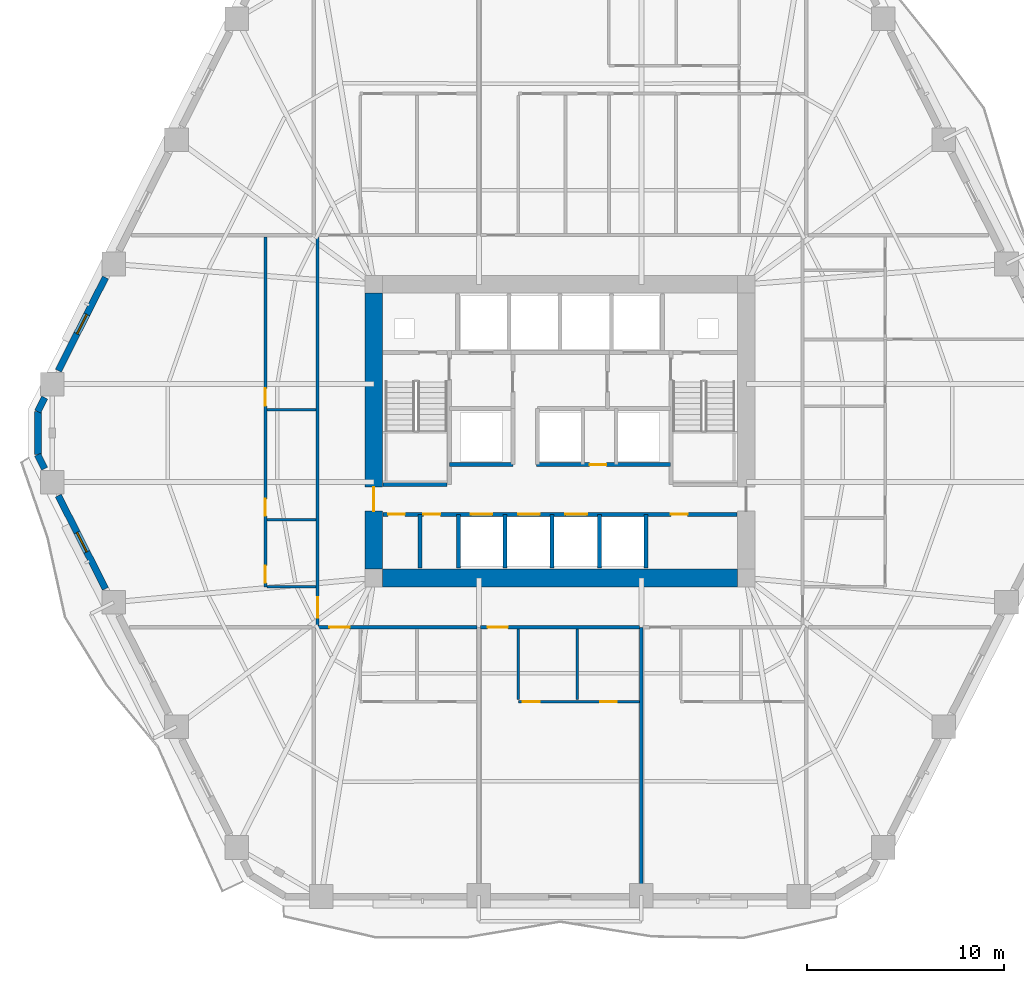
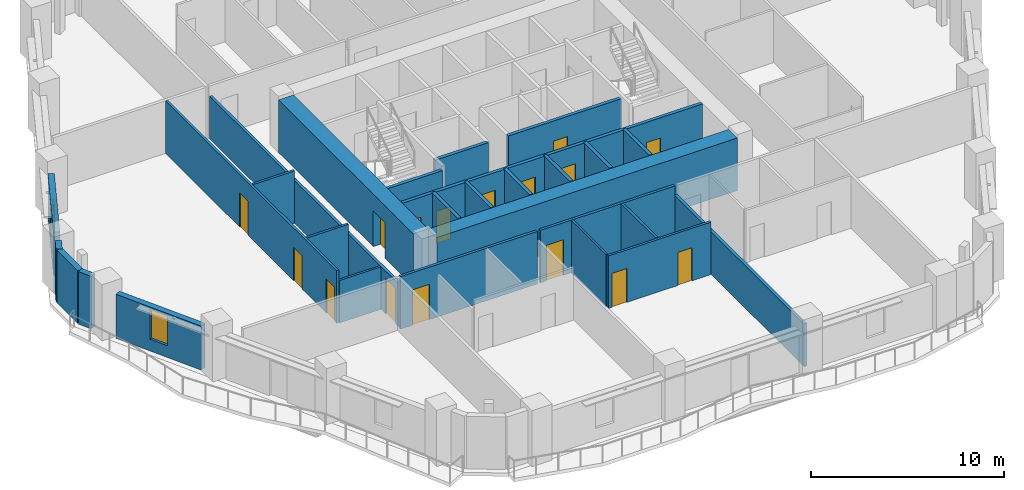
# One storey, part 4 of 13: 28 walls, 16 doors, 2 windows, 18 openings.
"""IFC4 building model written with IfcOpenShell, lengths in metres."""

from ifc_helpers import new_model, si_unit, direction, frame, frame_2d, origin, place, context, subcontext, project, spatial, rectangle, extrude, material, layer, layer_set, type_object, element, fill, save


model = new_model("IFC4")

# Units and contexts
model_context = context("Model", 3, precision=1e-05, world=origin(), true_north=direction((0.0, 1.0)))
body_context = subcontext(model_context, "Body", "Model", "MODEL_VIEW")
ifc_project = project(units=[si_unit("LENGTHUNIT", "METRE"), si_unit("AREAUNIT", "SQUARE_METRE"), si_unit("VOLUMEUNIT", "CUBIC_METRE"), si_unit("PLANEANGLEUNIT", "RADIAN"), si_unit("MASSUNIT", "GRAM", prefix="KILO")], contexts=[model_context])

# Site, building, storey
site_placement = place(None, origin())
site = spatial("IfcSite", under=ifc_project, at=site_placement, CompositionType="ELEMENT")
building_placement = place(site_placement, origin())
building = spatial("IfcBuilding", under=site, at=building_placement, Name="Cinnabar Lancet Tower", CompositionType="ELEMENT")
storey_placement = place(building_placement, frame((0.0, 0.0, 63.949951171875)))
storey = spatial("IfcBuildingStorey", under=building, at=storey_placement, Name="L16", CompositionType="ELEMENT", Elevation=63.949951171875)

# Wall, opening, door
ifc_material_1 = material(Name="Acoustic twin-stud gypsum partition", Category="gypsum")
ifc_layer_1 = layer(ifc_material_1, 0.159912109375)
ifc_layer_set_1 = layer_set([ifc_layer_1], Name="Acoustic twin-stud gypsum partition")
wall_type_1 = type_object("IfcWallType", Name="ARC-WL-CORR-160", PredefinedType="PARTITIONING", material=ifc_layer_set_1)
wall_1_placement = place(storey_placement, frame((19.9951171875, 15.949951171875, 0.0), z_axis=(0.0, 0.0, 1.0), x_axis=(1.0, 0.0, 0.0)))
wall_1 = element("IfcWall", 1, at=wall_1_placement, inside=storey, type_object=wall_type_1, Name="L16 Unit S01 Corridor Wall", PredefinedType="PARTITIONING", context=body_context, shape_type="SweptSolid", body=[
    extrude(rectangle(XDim=8.18798828125, YDim=0.159912109375, at=frame_2d((4.093994140625, 0.0))), origin(), (0.0, 0.0, 1.0), 3.330078125),
])
opening_1_placement = place(wall_1_placement, frame((0.705078125, 0.0, 0.0)))
opening_1 = element("IfcOpeningElement", 2, at=opening_1_placement, cuts=wall_1, Name="Opening UD-01", PredefinedType="OPENING", context=body_context, shape_type="SweptSolid", body=[
    extrude(rectangle(XDim=1.02001953125, YDim=2.25, at=frame_2d((0.510009765625, 1.125))), frame((0.0, 0.08984375, 0.0), z_axis=(0.0, -1.0, 0.0), x_axis=(1.0, 0.0, 0.0)), (0.0, 0.0, 1.0), 0.179931640625),
])
ifc_material_2 = material(Name="Solid timber fire-rated apartment entrance door", Category="wood")
door_type_1 = type_object("IfcDoorType", Name="ARC-DR-UNIT", OperationType="NOTDEFINED", PredefinedType="DOOR", material=ifc_material_2)
door_1_placement = place(opening_1_placement, origin())
door_1 = element("IfcDoor", 3, at=door_1_placement, inside=storey, type_object=door_type_1, Name="DR-L16-S01-ENT", OperationType="SINGLE_SWING_RIGHT", OverallHeight=2.25, OverallWidth=1.02001953125, PredefinedType="DOOR", context=body_context, shape_type="SweptSolid", body=[
    extrude(rectangle(XDim=1.02001953125, YDim=2.25, at=frame_2d((0.510009765625, 1.125))), frame((0.0, 0.02490234375, 0.0), z_axis=(0.0, -1.0, 0.0), x_axis=(1.0, 0.0, 0.0)), (0.0, 0.0, 1.0), 0.050048828125),
])
fill(opening_1, door_1)

wall_2_placement = place(storey_placement, frame((28.373046875, 15.949951171875, 0.0), z_axis=(0.0, 0.0, 1.0), x_axis=(1.0, 0.0, 0.0)))
wall_2 = element("IfcWall", 4, at=wall_2_placement, inside=storey, type_object=wall_type_1, Name="L16 Unit S02 Corridor Wall", PredefinedType="PARTITIONING", context=body_context, shape_type="SweptSolid", body=[
    extrude(rectangle(XDim=8.053955078125, YDim=0.159912109375, at=frame_2d((4.02685546875, 0.0))), origin(), (0.0, 0.0, 1.0), 3.330078125),
])
opening_2_placement = place(wall_2_placement, frame((0.35498046875, 0.0, 0.0)))
opening_2 = element("IfcOpeningElement", 5, at=opening_2_placement, cuts=wall_2, Name="Opening UD-01", PredefinedType="OPENING", context=body_context, shape_type="SweptSolid", body=[
    extrude(rectangle(XDim=1.02001953125, YDim=2.25, at=frame_2d((0.510009765625, 1.125))), frame((0.0, 0.08984375, 0.0), z_axis=(0.0, -1.0, 0.0), x_axis=(1.0, 0.0, 0.0)), (0.0, 0.0, 1.0), 0.179931640625),
])
door_2_placement = place(opening_2_placement, origin())
door_2 = element("IfcDoor", 6, at=door_2_placement, inside=storey, type_object=door_type_1, Name="DR-L16-S02-ENT", OperationType="SINGLE_SWING_LEFT", OverallHeight=2.25, OverallWidth=1.02001953125, PredefinedType="DOOR", context=body_context, shape_type="SweptSolid", body=[
    extrude(rectangle(XDim=1.02001953125, YDim=2.25, at=frame_2d((0.510009765625, 1.125))), frame((0.0, 0.02490234375, 0.0), z_axis=(0.0, -1.0, 0.0), x_axis=(1.0, 0.0, 0.0)), (0.0, 0.0, 1.0), 0.050048828125),
])
fill(opening_2, door_2)

wall_3_placement = place(storey_placement, frame((20.10009765625, 16.044921875, 0.0), z_axis=(0.0, 0.0, 1.0), x_axis=(0.0, 1.0, 0.0)))
wall_3 = element("IfcWall", 7, at=wall_3_placement, inside=storey, type_object=wall_type_1, Name="UW-L16-W01-COR", PredefinedType="PARTITIONING", context=body_context, shape_type="SweptSolid", body=[
    extrude(rectangle(XDim=19.7099609375, YDim=0.159912109375, at=frame_2d((9.85498046875, 0.0))), origin(), (0.0, 0.0, 1.0), 2.699951171875),
])
opening_3_placement = place(wall_3_placement, frame((0.39990234375, 0.0, 0.0)))
opening_3 = element("IfcOpeningElement", 8, at=opening_3_placement, cuts=wall_3, Name="Opening UD-01", PredefinedType="OPENING", context=body_context, shape_type="SweptSolid", body=[
    extrude(rectangle(XDim=1.02001953125, YDim=2.25, at=frame_2d((0.510009765625, 1.125))), frame((0.0, 0.08984375, 0.0), z_axis=(0.0, -1.0, 0.0), x_axis=(1.0, 0.0, 0.0)), (0.0, 0.0, 1.0), 0.179931640625),
])
door_3_placement = place(opening_3_placement, origin())
door_3 = element("IfcDoor", 9, at=door_3_placement, inside=storey, type_object=door_type_1, Name="DR-L16-W01-ENT", OperationType="SINGLE_SWING_RIGHT", OverallHeight=2.25, OverallWidth=1.02001953125, PredefinedType="DOOR", context=body_context, shape_type="SweptSolid", body=[
    extrude(rectangle(XDim=1.02001953125, YDim=2.25, at=frame_2d((0.510009765625, 1.125))), frame((0.0, 0.02490234375, 0.0), z_axis=(0.0, -1.0, 0.0), x_axis=(1.0, 0.0, 0.0)), (0.0, 0.0, 1.0), 0.050048828125),
])
fill(opening_3, door_3)

# Walls
ifc_material_3 = material(Name="Fire-rated twin-frame acoustic drywall", Category="gypsum")
ifc_layer_2 = layer(ifc_material_3, 0.179931640625)
ifc_layer_set_2 = layer_set([ifc_layer_2], Name="Fire-rated twin-frame acoustic drywall")
wall_type_2 = type_object("IfcWallType", Name="ARC-WL-PARTY-180", PredefinedType="PARTITIONING", material=ifc_layer_set_2)
wall_4_placement = place(storey_placement, frame((36.52197265625, 2.455078125, 0.0), z_axis=(0.0, 0.0, 1.0), x_axis=(0.0, 1.0, 0.0)))
element("IfcWall", 10, at=wall_4_placement, inside=storey, type_object=wall_type_2, Name="PW-L16-SPTY-365", PredefinedType="PARTITIONING", context=body_context, shape_type="SweptSolid", body=[
    extrude(rectangle(XDim=13.494873046875, YDim=0.179931640625, at=frame_2d((6.74755859375, 0.0))), origin(), (0.0, 0.0, 1.0), 2.699951171875),
])
ifc_material_4 = material(Name="Autoclaved aerated concrete blockwork", Category="masonry")
ifc_layer_3 = layer(ifc_material_4, 0.199951171875)
ifc_layer_set_3 = layer_set([ifc_layer_3], Name="Autoclaved aerated concrete blockwork")
wall_type_3 = type_object("IfcWallType", Name="ARC-WL-SHAFT-200", PredefinedType="PLUMBINGWALL", material=ifc_layer_set_3)
wall_5_placement = place(storey_placement, frame((23.405029296875, 23.199951171875, 0.0), z_axis=(0.0, 0.0, 1.0), x_axis=(1.0, 0.0, 0.0)))
element("IfcWall", 11, at=wall_5_placement, inside=storey, type_object=wall_type_3, Name="CW-ST1S-L16", PredefinedType="PLUMBINGWALL", context=body_context, shape_type="SweptSolid", body=[
    extrude(rectangle(XDim=3.27001953125, YDim=0.199951171875, at=frame_2d((1.635009765625, 0.0))), origin(), (0.0, 0.0, 1.0), 3.330078125),
])
wall_6_placement = place(storey_placement, frame((26.800048828125, 24.199951171875, 0.0), z_axis=(0.0, 0.0, 1.0), x_axis=(1.0, 0.0, 0.0)))
element("IfcWall", 12, at=wall_6_placement, inside=storey, type_object=wall_type_3, Name="CW-PL5S-L16", PredefinedType="PLUMBINGWALL", context=body_context, shape_type="SweptSolid", body=[
    extrude(rectangle(XDim=3.199951171875, YDim=0.199951171875, at=frame_2d((1.60009765625, 0.0))), origin(), (0.0, 0.0, 1.0), 3.330078125),
])

# Wall, opening, door
wall_7_placement = place(storey_placement, frame((31.199951171875, 24.199951171875, 0.0), z_axis=(0.0, 0.0, 1.0), x_axis=(1.0, 0.0, 0.0)))
wall_7 = element("IfcWall", 13, at=wall_7_placement, inside=storey, type_object=wall_type_3, Name="CW-PL96S-L16", PredefinedType="PLUMBINGWALL", context=body_context, shape_type="SweptSolid", body=[
    extrude(rectangle(XDim=6.800048828125, YDim=0.199951171875, at=frame_2d((3.39990234375, 0.0))), origin(), (0.0, 0.0, 1.0), 3.330078125),
])
opening_4_placement = place(wall_7_placement, frame((2.699951171875, 0.0, 0.0)))
opening_4 = element("IfcOpeningElement", 14, at=opening_4_placement, cuts=wall_7, Name="Opening PD-02", PredefinedType="OPENING", context=body_context, shape_type="SweptSolid", body=[
    extrude(rectangle(XDim=0.85009765625, YDim=2.050048828125, at=frame_2d((0.425048828125, 1.02490234375))), frame((0.0, 0.10986328125, 0.0), z_axis=(0.0, -1.0, 0.0), x_axis=(1.0, 0.0, 0.0)), (0.0, 0.0, 1.0), 0.219970703125),
])
ifc_material_5 = material(Name="Fire-rated steel riser access door", Category="steel")
door_type_2 = type_object("IfcDoorType", Name="ARC-DR-RISER", OperationType="NOTDEFINED", PredefinedType="DOOR", material=ifc_material_5)
door_4_placement = place(opening_4_placement, origin())
door_4 = element("IfcDoor", 15, at=door_4_placement, inside=storey, type_object=door_type_2, Name="L16 BMS Closet Door", OperationType="SINGLE_SWING_LEFT", OverallHeight=2.050048828125, OverallWidth=0.85009765625, PredefinedType="DOOR", context=body_context, shape_type="SweptSolid", body=[
    extrude(rectangle(XDim=0.85009765625, YDim=2.050048828125, at=frame_2d((0.425048828125, 1.02490234375))), frame((0.0, 0.02490234375, 0.0), z_axis=(0.0, -1.0, 0.0), x_axis=(1.0, 0.0, 0.0)), (0.0, 0.0, 1.0), 0.050048828125),
])
fill(opening_4, door_4)

# Wall, openings, doors
wall_8_placement = place(storey_placement, frame((23.419921875, 21.679931640625, 0.0), z_axis=(0.0, 0.0, 1.0), x_axis=(1.0, 0.0, 0.0)))
wall_8 = element("IfcWall", 16, at=wall_8_placement, inside=storey, type_object=wall_type_3, Name="CW-SBANDN-L16", PredefinedType="PLUMBINGWALL", context=body_context, shape_type="SweptSolid", body=[
    extrude(rectangle(XDim=17.9599609375, YDim=0.199951171875, at=frame_2d((8.97998046875, 0.0))), origin(), (0.0, 0.0, 1.0), 3.330078125),
])
opening_5_placement = place(wall_8_placement, frame((4.449951171875, 0.0, 0.0)))
opening_5 = element("IfcOpeningElement", 17, at=opening_5_placement, cuts=wall_8, Name="Opening LD-01", PredefinedType="OPENING", context=body_context, shape_type="SweptSolid", body=[
    extrude(rectangle(XDim=1.10009765625, YDim=2.199951171875, at=frame_2d((0.550048828125, 1.10009765625))), frame((0.0, 0.10986328125, 0.0), z_axis=(0.0, -1.0, 0.0), x_axis=(1.0, 0.0, 0.0)), (0.0, 0.0, 1.0), 0.219970703125),
])
opening_6_placement = place(wall_8_placement, frame((6.85009765625, 0.0, 0.0)))
opening_6 = element("IfcOpeningElement", 18, at=opening_6_placement, cuts=wall_8, Name="Opening LD-01", PredefinedType="OPENING", context=body_context, shape_type="SweptSolid", body=[
    extrude(rectangle(XDim=1.10009765625, YDim=2.199951171875, at=frame_2d((0.550048828125, 1.10009765625))), frame((0.0, 0.10986328125, 0.0), z_axis=(0.0, -1.0, 0.0), x_axis=(1.0, 0.0, 0.0)), (0.0, 0.0, 1.0), 0.219970703125),
])
opening_7_placement = place(wall_8_placement, frame((9.25, 0.0, 0.0)))
opening_7 = element("IfcOpeningElement", 19, at=opening_7_placement, cuts=wall_8, Name="Opening LD-01", PredefinedType="OPENING", context=body_context, shape_type="SweptSolid", body=[
    extrude(rectangle(XDim=1.10009765625, YDim=2.199951171875, at=frame_2d((0.550048828125, 1.10009765625))), frame((0.0, 0.10986328125, 0.0), z_axis=(0.0, -1.0, 0.0), x_axis=(1.0, 0.0, 0.0)), (0.0, 0.0, 1.0), 0.219970703125),
])
opening_8_placement = place(wall_8_placement, frame((0.25, 0.0, 0.0)))
opening_8 = element("IfcOpeningElement", 20, at=opening_8_placement, cuts=wall_8, Name="Opening PD-02", PredefinedType="OPENING", context=body_context, shape_type="SweptSolid", body=[
    extrude(rectangle(XDim=0.85009765625, YDim=2.050048828125, at=frame_2d((0.425048828125, 1.02490234375))), frame((0.0, 0.10986328125, 0.0), z_axis=(0.0, -1.0, 0.0), x_axis=(1.0, 0.0, 0.0)), (0.0, 0.0, 1.0), 0.219970703125),
])
opening_9_placement = place(wall_8_placement, frame((2.050048828125, 0.0, 0.0)))
opening_9 = element("IfcOpeningElement", 21, at=opening_9_placement, cuts=wall_8, Name="Opening PD-02", PredefinedType="OPENING", context=body_context, shape_type="SweptSolid", body=[
    extrude(rectangle(XDim=0.85009765625, YDim=2.050048828125, at=frame_2d((0.425048828125, 1.02490234375))), frame((0.0, 0.10986328125, 0.0), z_axis=(0.0, -1.0, 0.0), x_axis=(1.0, 0.0, 0.0)), (0.0, 0.0, 1.0), 0.219970703125),
])
opening_10_placement = place(wall_8_placement, frame((14.60009765625, 0.0, 0.0)))
opening_10 = element("IfcOpeningElement", 22, at=opening_10_placement, cuts=wall_8, Name="Opening PD-02", PredefinedType="OPENING", context=body_context, shape_type="SweptSolid", body=[
    extrude(rectangle(XDim=0.85009765625, YDim=2.050048828125, at=frame_2d((0.425048828125, 1.02490234375))), frame((0.0, 0.10986328125, 0.0), z_axis=(0.0, -1.0, 0.0), x_axis=(1.0, 0.0, 0.0)), (0.0, 0.0, 1.0), 0.219970703125),
])
ifc_material_6 = material(Name="Brushed stainless steel sliding lift door", Category="steel")
door_type_3 = type_object("IfcDoorType", Name="ARC-DR-LD-PASS", OperationType="NOTDEFINED", PredefinedType="DOOR", material=ifc_material_6)
door_5_placement = place(opening_5_placement, origin())
door_5 = element("IfcDoor", 23, at=door_5_placement, inside=storey, type_object=door_type_3, Name="L16 Lift PL-1 Landing Door", OperationType="DOUBLE_DOOR_SLIDING", OverallHeight=2.199951171875, OverallWidth=1.10009765625, PredefinedType="DOOR", context=body_context, shape_type="SweptSolid", body=[
    extrude(rectangle(XDim=1.10009765625, YDim=2.199951171875, at=frame_2d((0.550048828125, 1.10009765625))), frame((0.0, 0.02490234375, 0.0), z_axis=(0.0, -1.0, 0.0), x_axis=(1.0, 0.0, 0.0)), (0.0, 0.0, 1.0), 0.050048828125),
])
fill(opening_5, door_5)
door_6_placement = place(opening_6_placement, origin())
door_6 = element("IfcDoor", 24, at=door_6_placement, inside=storey, type_object=door_type_3, Name="L16 Lift PL-2 Landing Door", OperationType="DOUBLE_DOOR_SLIDING", OverallHeight=2.199951171875, OverallWidth=1.10009765625, PredefinedType="DOOR", context=body_context, shape_type="SweptSolid", body=[
    extrude(rectangle(XDim=1.10009765625, YDim=2.199951171875, at=frame_2d((0.550048828125, 1.10009765625))), frame((0.0, 0.02490234375, 0.0), z_axis=(0.0, -1.0, 0.0), x_axis=(1.0, 0.0, 0.0)), (0.0, 0.0, 1.0), 0.050048828125),
])
fill(opening_6, door_6)
door_7_placement = place(opening_7_placement, origin())
door_7 = element("IfcDoor", 25, at=door_7_placement, inside=storey, type_object=door_type_3, Name="L16 Lift PL-3 Landing Door", OperationType="DOUBLE_DOOR_SLIDING", OverallHeight=2.199951171875, OverallWidth=1.10009765625, PredefinedType="DOOR", context=body_context, shape_type="SweptSolid", body=[
    extrude(rectangle(XDim=1.10009765625, YDim=2.199951171875, at=frame_2d((0.550048828125, 1.10009765625))), frame((0.0, 0.02490234375, 0.0), z_axis=(0.0, -1.0, 0.0), x_axis=(1.0, 0.0, 0.0)), (0.0, 0.0, 1.0), 0.050048828125),
])
fill(opening_7, door_7)
door_8_placement = place(opening_8_placement, origin())
door_8 = element("IfcDoor", 26, at=door_8_placement, inside=storey, type_object=door_type_2, Name="DR-L16-SW1", OperationType="SINGLE_SWING_LEFT", OverallHeight=2.050048828125, OverallWidth=0.85009765625, PredefinedType="DOOR", context=body_context, shape_type="SweptSolid", body=[
    extrude(rectangle(XDim=0.85009765625, YDim=2.050048828125, at=frame_2d((0.425048828125, 1.02490234375))), frame((0.0, 0.02490234375, 0.0), z_axis=(0.0, -1.0, 0.0), x_axis=(1.0, 0.0, 0.0)), (0.0, 0.0, 1.0), 0.050048828125),
])
fill(opening_8, door_8)
door_9_placement = place(opening_9_placement, origin())
door_9 = element("IfcDoor", 27, at=door_9_placement, inside=storey, type_object=door_type_2, Name="DR-L16-SW2", OperationType="SINGLE_SWING_RIGHT", OverallHeight=2.050048828125, OverallWidth=0.85009765625, PredefinedType="DOOR", context=body_context, shape_type="SweptSolid", body=[
    extrude(rectangle(XDim=0.85009765625, YDim=2.050048828125, at=frame_2d((0.425048828125, 1.02490234375))), frame((0.0, 0.02490234375, 0.0), z_axis=(0.0, -1.0, 0.0), x_axis=(1.0, 0.0, 0.0)), (0.0, 0.0, 1.0), 0.050048828125),
])
fill(opening_9, door_9)
door_10_placement = place(opening_10_placement, origin())
door_10 = element("IfcDoor", 28, at=door_10_placement, inside=storey, type_object=door_type_2, Name="DR-L16-SE1", OperationType="SINGLE_SWING_LEFT", OverallHeight=2.050048828125, OverallWidth=0.85009765625, PredefinedType="DOOR", context=body_context, shape_type="SweptSolid", body=[
    extrude(rectangle(XDim=0.85009765625, YDim=2.050048828125, at=frame_2d((0.425048828125, 1.02490234375))), frame((0.0, 0.02490234375, 0.0), z_axis=(0.0, -1.0, 0.0), x_axis=(1.0, 0.0, 0.0)), (0.0, 0.0, 1.0), 0.050048828125),
])
fill(opening_10, door_10)

# Walls
for number, where, z_axis, x_axis, name in (
    (29, (27.25, 18.949951171875, 0.0), (0.0, 0.0, 1.0), (0.0, 1.0, 0.0), "CW-SB-2725-L16"),
    (30, (29.60009765625, 18.949951171875, 0.0), (0.0, 0.0, 1.0), (0.0, 1.0, 0.0), "CW-SB-2960-L16"),
    (31, (32.0, 18.949951171875, 0.0), (0.0, 0.0, 1.0), (0.0, 1.0, 0.0), "CW-SB-3200-L16"),
    (32, (34.39990234375, 18.949951171875, 0.0), (0.0, 0.0, 1.0), (0.0, 1.0, 0.0), "CW-SB-3440-L16"),
    (33, (36.75, 18.949951171875, 0.0), (0.0, 0.0, 1.0), (0.0, 1.0, 0.0), "CW-SB-3675-L16"),
    (34, (25.300048828125, 18.949951171875, 0.0), (0.0, 0.0, 1.0), (0.0, 1.0, 0.0), "CW-SB-SW-L16"),
):
    element("IfcWall", number, at=place(storey_placement, frame(where, z_axis=z_axis, x_axis=x_axis)), inside=storey, type_object=wall_type_3, Name=name, PredefinedType="PLUMBINGWALL", context=body_context, shape_type="SweptSolid", body=[
        extrude(rectangle(XDim=2.72998046875, YDim=0.199951171875, at=frame_2d((1.364990234375, 0.0))), origin(), (0.0, 0.0, 1.0), 3.330078125),
    ])
ifc_material_7 = material(Name="Gypsum plasterboard stud partition", Category="gypsum")
ifc_layer_4 = layer(ifc_material_7, 0.125)
ifc_layer_set_4 = layer_set([ifc_layer_4], Name="Gypsum plasterboard stud partition")
wall_type_4 = type_object("IfcWallType", Name="ARC-WL-UNIT-125", PredefinedType="PARTITIONING", material=ifc_layer_set_4)
wall_9_placement = place(storey_placement, frame((30.278076171875, 12.27587890625, 0.0), z_axis=(0.0, 0.0, 1.0), x_axis=(0.0, 1.0, 0.0)))
element("IfcWall", 35, at=wall_9_placement, inside=storey, type_object=wall_type_4, Name="UW-L16-S02-FOYE", PredefinedType="PARTITIONING", context=body_context, shape_type="SweptSolid", body=[
    extrude(rectangle(XDim=3.589111328125, YDim=0.125, at=frame_2d((1.79443359375, 0.0))), origin(), (0.0, 0.0, 1.0), 3.330078125),
])
wall_10_placement = place(storey_placement, frame((17.534912109375, 18.0, 0.0), z_axis=(0.0, 0.0, 1.0), x_axis=(1.0, 0.0, 0.0)))
element("IfcWall", 36, at=wall_10_placement, inside=storey, type_object=wall_type_4, Name="UW-L16-W01-FOYN", PredefinedType="PARTITIONING", context=body_context, shape_type="SweptSolid", body=[
    extrude(rectangle(XDim=2.47998046875, YDim=0.125, at=frame_2d((1.239990234375, 0.0))), origin(), (0.0, 0.0, 1.0), 2.699951171875),
])

# Wall, openings, doors
ifc_material_8 = material(Name="Moisture-resistant cement-board plumbing wall", Category="masonry")
ifc_layer_5 = layer(ifc_material_8, 0.139892578125)
ifc_layer_set_5 = layer_set([ifc_layer_5], Name="Moisture-resistant cement-board plumbing wall")
wall_type_5 = type_object("IfcWallType", Name="ARC-WL-WET-140", PredefinedType="PLUMBINGWALL", material=ifc_layer_set_5)
wall_11_placement = place(storey_placement, frame((30.278076171875, 12.1708984375, 0.0), z_axis=(0.0, 0.0, 1.0), x_axis=(1.0, 0.0, 0.0)))
wall_11 = element("IfcWall", 37, at=wall_11_placement, inside=storey, type_object=wall_type_5, Name="UW-L16-S02-SPL", PredefinedType="PLUMBINGWALL", context=body_context, shape_type="SweptSolid", body=[
    extrude(rectangle(XDim=6.14892578125, YDim=0.139892578125, at=frame_2d((3.074462890625, 0.0))), origin(), (0.0, 0.0, 1.0), 3.330078125),
])
opening_11_placement = place(wall_11_placement, frame((4.14794921875, 0.0, 0.0)))
opening_11 = element("IfcOpeningElement", 38, at=opening_11_placement, cuts=wall_11, Name="Opening BD-01", PredefinedType="OPENING", context=body_context, shape_type="SweptSolid", body=[
    extrude(rectangle(XDim=0.860107421875, YDim=2.10009765625, at=frame_2d((0.43017578125, 1.050048828125))), frame((0.0, 0.079833984375, 0.0), z_axis=(0.0, -1.0, 0.0), x_axis=(1.0, 0.0, 0.0)), (0.0, 0.0, 1.0), 0.159912109375),
])
opening_12_placement = place(wall_11_placement, frame((0.219970703125, 0.0, 0.0)))
opening_12 = element("IfcOpeningElement", 39, at=opening_12_placement, cuts=wall_11, Name="Opening RD-02", PredefinedType="OPENING", context=body_context, shape_type="SweptSolid", body=[
    extrude(rectangle(XDim=0.8798828125, YDim=2.14990234375, at=frame_2d((0.43994140625, 1.074951171875))), frame((0.0, 0.079833984375, 0.0), z_axis=(0.0, -1.0, 0.0), x_axis=(1.0, 0.0, 0.0)), (0.0, 0.0, 1.0), 0.159912109375),
])
ifc_material_9 = material(Name="Moisture-resistant timber bathroom door", Category="wood")
door_type_4 = type_object("IfcDoorType", Name="ARC-DR-BATH", OperationType="NOTDEFINED", PredefinedType="DOOR", material=ifc_material_9)
door_11_placement = place(opening_11_placement, origin())
door_11 = element("IfcDoor", 40, at=door_11_placement, inside=storey, type_object=door_type_4, Name="DR-L16-S02-BTH", OperationType="SINGLE_SWING_LEFT", OverallHeight=2.10009765625, OverallWidth=0.860107421875, PredefinedType="DOOR", context=body_context, shape_type="SweptSolid", body=[
    extrude(rectangle(XDim=0.860107421875, YDim=2.10009765625, at=frame_2d((0.43017578125, 1.050048828125))), frame((0.0, 0.02490234375, 0.0), z_axis=(0.0, -1.0, 0.0), x_axis=(1.0, 0.0, 0.0)), (0.0, 0.0, 1.0), 0.050048828125),
])
fill(opening_11, door_11)
ifc_material_10 = material(Name="Engineered timber study door", Category="wood")
door_type_5 = type_object("IfcDoorType", Name="ARC-DR-STUDY", OperationType="NOTDEFINED", PredefinedType="DOOR", material=ifc_material_10)
door_12_placement = place(opening_12_placement, origin())
door_12 = element("IfcDoor", 41, at=door_12_placement, inside=storey, type_object=door_type_5, Name="DR-L16-S02-KIT", OperationType="SINGLE_SWING_RIGHT", OverallHeight=2.14990234375, OverallWidth=0.8798828125, PredefinedType="DOOR", context=body_context, shape_type="SweptSolid", body=[
    extrude(rectangle(XDim=0.8798828125, YDim=2.14990234375, at=frame_2d((0.43994140625, 1.074951171875))), frame((0.0, 0.02490234375, 0.0), z_axis=(0.0, -1.0, 0.0), x_axis=(1.0, 0.0, 0.0)), (0.0, 0.0, 1.0), 0.050048828125),
])
fill(opening_12, door_12)

# Wall
wall_12_placement = place(storey_placement, frame((33.27490234375, 12.27587890625, 0.0), z_axis=(0.0, 0.0, 1.0), x_axis=(0.0, 1.0, 0.0)))
element("IfcWall", 42, at=wall_12_placement, inside=storey, type_object=wall_type_5, Name="UW-L16-S02-KDV", PredefinedType="PLUMBINGWALL", context=body_context, shape_type="SweptSolid", body=[
    extrude(rectangle(XDim=3.589111328125, YDim=0.139892578125, at=frame_2d((1.79443359375, 0.0))), origin(), (0.0, 0.0, 1.0), 3.330078125),
])

# Wall, openings, doors
wall_13_placement = place(storey_placement, frame((17.449951171875, 18.0, 0.0), z_axis=(0.0, 0.0, 1.0), x_axis=(0.0, 1.0, 0.0)))
wall_13 = element("IfcWall", 43, at=wall_13_placement, inside=storey, type_object=wall_type_5, Name="UW-L16-W01-SPL", PredefinedType="PLUMBINGWALL", context=body_context, shape_type="SweptSolid", body=[
    extrude(rectangle(XDim=17.7548828125, YDim=0.139892578125, at=frame_2d((8.87744140625, 0.0))), origin(), (0.0, 0.0, 1.0), 3.330078125),
])
opening_13_placement = place(wall_13_placement, frame((3.60009765625, 0.0, 0.0)))
opening_13 = element("IfcOpeningElement", 44, at=opening_13_placement, cuts=wall_13, Name="Opening BD-01", PredefinedType="OPENING", context=body_context, shape_type="SweptSolid", body=[
    extrude(rectangle(XDim=0.860107421875, YDim=2.10009765625, at=frame_2d((0.43017578125, 1.050048828125))), frame((0.0, 0.079833984375, 0.0), z_axis=(0.0, -1.0, 0.0), x_axis=(1.0, 0.0, 0.0)), (0.0, 0.0, 1.0), 0.159912109375),
])
opening_14_placement = place(wall_13_placement, frame((9.18701171875, 0.0, 0.0)))
opening_14 = element("IfcOpeningElement", 45, at=opening_14_placement, cuts=wall_13, Name="Opening RD-02", PredefinedType="OPENING", context=body_context, shape_type="SweptSolid", body=[
    extrude(rectangle(XDim=0.8798828125, YDim=2.14990234375, at=frame_2d((0.43994140625, 1.074951171875))), frame((0.0, 0.079833984375, 0.0), z_axis=(0.0, -1.0, 0.0), x_axis=(1.0, 0.0, 0.0)), (0.0, 0.0, 1.0), 0.159912109375),
])
opening_15_placement = place(wall_13_placement, frame((0.199951171875, 0.0, 0.0)))
opening_15 = element("IfcOpeningElement", 46, at=opening_15_placement, cuts=wall_13, Name="Opening RD-02", PredefinedType="OPENING", context=body_context, shape_type="SweptSolid", body=[
    extrude(rectangle(XDim=0.8798828125, YDim=2.14990234375, at=frame_2d((0.43994140625, 1.074951171875))), frame((0.0, 0.079833984375, 0.0), z_axis=(0.0, -1.0, 0.0), x_axis=(1.0, 0.0, 0.0)), (0.0, 0.0, 1.0), 0.159912109375),
])
door_13_placement = place(opening_13_placement, origin())
door_13 = element("IfcDoor", 47, at=door_13_placement, inside=storey, type_object=door_type_4, Name="DR-L16-W01-BTH", OperationType="SINGLE_SWING_RIGHT", OverallHeight=2.10009765625, OverallWidth=0.860107421875, PredefinedType="DOOR", context=body_context, shape_type="SweptSolid", body=[
    extrude(rectangle(XDim=0.860107421875, YDim=2.10009765625, at=frame_2d((0.43017578125, 1.050048828125))), frame((0.0, 0.02490234375, 0.0), z_axis=(0.0, -1.0, 0.0), x_axis=(1.0, 0.0, 0.0)), (0.0, 0.0, 1.0), 0.050048828125),
])
fill(opening_13, door_13)
door_14_placement = place(opening_14_placement, origin())
door_14 = element("IfcDoor", 48, at=door_14_placement, inside=storey, type_object=door_type_5, Name="DR-L16-W01-WDR", OperationType="SINGLE_SWING_LEFT", OverallHeight=2.14990234375, OverallWidth=0.8798828125, PredefinedType="DOOR", context=body_context, shape_type="SweptSolid", body=[
    extrude(rectangle(XDim=0.8798828125, YDim=2.14990234375, at=frame_2d((0.43994140625, 1.074951171875))), frame((0.0, 0.02490234375, 0.0), z_axis=(0.0, -1.0, 0.0), x_axis=(1.0, 0.0, 0.0)), (0.0, 0.0, 1.0), 0.050048828125),
])
fill(opening_14, door_14)
door_15_placement = place(opening_15_placement, origin())
door_15 = element("IfcDoor", 49, at=door_15_placement, inside=storey, type_object=door_type_5, Name="DR-L16-W01-KIT", OperationType="SINGLE_SWING_LEFT", OverallHeight=2.14990234375, OverallWidth=0.8798828125, PredefinedType="DOOR", context=body_context, shape_type="SweptSolid", body=[
    extrude(rectangle(XDim=0.8798828125, YDim=2.14990234375, at=frame_2d((0.43994140625, 1.074951171875))), frame((0.0, 0.02490234375, 0.0), z_axis=(0.0, -1.0, 0.0), x_axis=(1.0, 0.0, 0.0)), (0.0, 0.0, 1.0), 0.050048828125),
])
fill(opening_15, door_15)

# Walls
for number, where, z_axis, x_axis, name in (
    (50, (17.534912109375, 21.39990234375, 0.0), (0.0, 0.0, 1.0), (1.0, 0.0, 0.0), "UW-L16-W01-KDV"),
    (51, (17.534912109375, 26.987060546875, 0.0), (0.0, 0.0, 1.0), (1.0, 0.0, 0.0), "UW-L16-W01-BWDV"),
):
    element("IfcWall", number, at=place(storey_placement, frame(where, z_axis=z_axis, x_axis=x_axis)), inside=storey, type_object=wall_type_5, Name=name, PredefinedType="PLUMBINGWALL", context=body_context, shape_type="SweptSolid", body=[
        extrude(rectangle(XDim=2.47998046875, YDim=0.139892578125, at=frame_2d((1.239990234375, 0.0))), origin(), (0.0, 0.0, 1.0), 3.330078125),
    ])
ifc_material_11 = material(Name="Cinnabar red clay brick", Category="masonry")
ifc_layer_6 = layer(ifc_material_11, 0.340087890625)
ifc_layer_set_6 = layer_set([ifc_layer_6], Name="Cinnabar red clay brick")
wall_type_6 = type_object("IfcWallType", Name="ENV-WL-BRK-RED-340", PredefinedType="STANDARD", material=ifc_layer_set_6)
wall_14_placement = place(storey_placement, frame((5.912109375, 26.885986328125, 0.0), z_axis=(0.0, 0.0, 1.0), x_axis=(0.0, -1.0, 0.0)))
element("IfcWall", 52, at=wall_14_placement, inside=storey, type_object=wall_type_6, Name="L16 Chamfered Corner Brick Pier 6.1", PredefinedType="STANDARD", context=body_context, shape_type="SweptSolid", body=[
    extrude(rectangle(XDim=2.171875, YDim=0.340087890625, at=frame_2d((1.0859375, 0.0))), origin(), (0.0, 0.0, 1.0), 3.330078125),
])

# Wall, opening, window
wall_15_placement = place(storey_placement, frame((9.3349609375, 33.698974609375, 0.0), z_axis=(0.0, 0.0, 1.0), x_axis=(-0.451590635984, -0.892225250422, 0.0)))
wall_15 = element("IfcWall", 53, at=wall_15_placement, inside=storey, type_object=wall_type_6, Name="L16 Face 5 Masonry Bay Wall 4", PredefinedType="STANDARD", context=body_context, shape_type="SweptSolid", body=[
    extrude(rectangle(XDim=5.303466796875, YDim=0.340087890625, at=frame_2d((2.65185546875, 0.0))), origin(), (0.0, 0.0, 1.0), 2.787109375),
])
opening_16_placement = place(wall_15_placement, frame((2.10205078125, 0.0, 0.75)))
opening_16 = element("IfcOpeningElement", 54, at=opening_16_placement, cuts=wall_15, Name="Opening WN-04", PredefinedType="OPENING", context=body_context, shape_type="SweptSolid", body=[
    extrude(rectangle(XDim=1.10009765625, YDim=1.886962890625, at=frame_2d((0.550048828125, 0.943359375))), frame((0.0, 0.179931640625, 0.0), z_axis=(0.0, -1.0, 0.0), x_axis=(1.0, 0.0, 0.0)), (0.0, 0.0, 1.0), 0.360107421875),
])
ifc_material_12 = material(Name="Thermally broken bronze-anodized aluminium tall lancet window", Category="aluminium")
window_type = type_object("IfcWindowType", Name="ENV-WN-LANCET-1100", PartitioningType="SINGLE_PANEL", PredefinedType="WINDOW", material=ifc_material_12)
window_1_placement = place(opening_16_placement, origin())
window_1 = element("IfcWindow", 55, at=window_1_placement, inside=storey, type_object=window_type, Name="L16 Face 5 Gothic Lancet Window 4", OverallHeight=1.886962890625, OverallWidth=1.10009765625, PartitioningType="SINGLE_PANEL", PredefinedType="WINDOW", context=body_context, shape_type="SweptSolid", body=[
    extrude(rectangle(XDim=1.10009765625, YDim=1.886962890625, at=frame_2d((0.550048828125, 0.943359375))), frame((0.0, 0.030029296875, 0.0), z_axis=(0.0, -1.0, 0.0), x_axis=(1.0, 0.0, 0.0)), (0.0, 0.0, 1.0), 0.06005859375),
])
fill(opening_16, window_1)

# Walls
for number, where, z_axis, x_axis, name in (
    (56, (6.251953125, 27.60498046875, 0.0), (0.0, 0.0, 1.0), (-0.452101093511, -0.891966704113, 0.0), "L16 Face 5 Masonry Bay Wall 5"),
    (57, (5.89111328125, 24.70703125, 0.0), (0.0, 0.0, 1.0), (0.452101093511, -0.891966704113, 0.0), "L16 Face 6 Masonry Bay Wall 1"),
):
    element("IfcWall", number, at=place(storey_placement, frame(where, z_axis=z_axis, x_axis=x_axis)), inside=storey, type_object=wall_type_6, Name=name, PredefinedType="STANDARD", context=body_context, shape_type="SweptSolid", body=[
        extrude(rectangle(XDim=0.798095703125, YDim=0.340087890625, at=frame_2d((0.39892578125, 0.0))), origin(), (0.0, 0.0, 1.0), 3.330078125),
    ])

# Wall, opening, window
wall_16_placement = place(storey_placement, frame((6.93994140625, 22.633056640625, 0.0), z_axis=(0.0, 0.0, 1.0), x_axis=(0.451572088722, -0.892234637686, 0.0)))
wall_16 = element("IfcWall", 58, at=wall_16_placement, inside=storey, type_object=wall_type_6, Name="L16 Face 6 Masonry Bay Wall 2", PredefinedType="STANDARD", context=body_context, shape_type="SweptSolid", body=[
    extrude(rectangle(XDim=5.3037109375, YDim=0.340087890625, at=frame_2d((2.65185546875, 0.0))), origin(), (0.0, 0.0, 1.0), 2.787109375),
])
opening_17_placement = place(wall_16_placement, frame((2.10205078125, 0.0, 0.75)))
opening_17 = element("IfcOpeningElement", 59, at=opening_17_placement, cuts=wall_16, Name="Opening WN-04", PredefinedType="OPENING", context=body_context, shape_type="SweptSolid", body=[
    extrude(rectangle(XDim=1.10009765625, YDim=1.886962890625, at=frame_2d((0.550048828125, 0.943359375))), frame((0.0, 0.179931640625, 0.0), z_axis=(0.0, -1.0, 0.0), x_axis=(1.0, 0.0, 0.0)), (0.0, 0.0, 1.0), 0.360107421875),
])
window_2_placement = place(opening_17_placement, origin())
window_2 = element("IfcWindow", 60, at=window_2_placement, inside=storey, type_object=window_type, Name="L16 Face 6 Gothic Lancet Window 2", OverallHeight=1.886962890625, OverallWidth=1.10009765625, PartitioningType="SINGLE_PANEL", PredefinedType="WINDOW", context=body_context, shape_type="SweptSolid", body=[
    extrude(rectangle(XDim=1.10009765625, YDim=1.886962890625, at=frame_2d((0.550048828125, 0.943359375))), frame((0.0, 0.030029296875, 0.0), z_axis=(0.0, -1.0, 0.0), x_axis=(1.0, 0.0, 0.0)), (0.0, 0.0, 1.0), 0.06005859375),
])
fill(opening_17, window_2)

# Wall
ifc_material_13 = material(Name="Concrete C80/95", Category="concrete")
ifc_layer_7 = layer(ifc_material_13, 0.89990234375)
ifc_layer_set_7 = layer_set([ifc_layer_7], Name="Concrete C80/95")
wall_type_7 = type_object("IfcWallType", Name="STR-WL-CORE-900", PredefinedType="SHEAR", material=ifc_layer_set_7)
wall_17_placement = place(storey_placement, frame((23.39990234375, 18.449951171875, 0.0), z_axis=(0.0, 0.0, 1.0), x_axis=(1.0, 0.0, 0.0)))
element("IfcWall", 61, at=wall_17_placement, inside=storey, type_object=wall_type_7, Name="L16 Core Shear Wall S", PredefinedType="SHEAR", context=body_context, shape_type="SweptSolid", body=[
    extrude(rectangle(XDim=18.0, YDim=0.89990234375, at=frame_2d((9.0, 0.0))), origin(), (0.0, 0.0, 1.0), 3.330078125),
])

# Wall, opening, door
wall_18_placement = place(storey_placement, frame((22.949951171875, 18.89990234375, 0.0), z_axis=(0.0, 0.0, 1.0), x_axis=(0.0, 1.0, 0.0)))
wall_18 = element("IfcWall", 62, at=wall_18_placement, inside=storey, type_object=wall_type_7, Name="L16 Core Shear Wall W", PredefinedType="SHEAR", context=body_context, shape_type="SweptSolid", body=[
    extrude(rectangle(XDim=14.0, YDim=0.89990234375, at=frame_2d((7.0, 0.0))), origin(), (0.0, 0.0, 1.0), 3.330078125),
])
opening_18_placement = place(wall_18_placement, frame((2.93994140625, 0.0, 0.0)))
opening_18 = element("IfcOpeningElement", 63, at=opening_18_placement, cuts=wall_18, Name="Opening FD-02", PredefinedType="OPENING", context=body_context, shape_type="SweptSolid", body=[
    extrude(rectangle(XDim=1.219970703125, YDim=2.25, at=frame_2d((0.60986328125, 1.125))), frame((0.0, 0.4599609375, 0.0), z_axis=(0.0, -1.0, 0.0), x_axis=(1.0, 0.0, 0.0)), (0.0, 0.0, 1.0), 0.919921875),
])
ifc_material_14 = material(Name="Fire-rated double-vision core portal door", Category="wood")
door_type_6 = type_object("IfcDoorType", Name="ARC-DR-CPORT", OperationType="NOTDEFINED", PredefinedType="DOOR", material=ifc_material_14)
door_16_placement = place(opening_18_placement, origin())
door_16 = element("IfcDoor", 64, at=door_16_placement, inside=storey, type_object=door_type_6, Name="L16 West Core Lobby Fire Door", OperationType="SINGLE_SWING_RIGHT", OverallHeight=2.25, OverallWidth=1.219970703125, PredefinedType="DOOR", context=body_context, shape_type="SweptSolid", body=[
    extrude(rectangle(XDim=1.219970703125, YDim=2.25, at=frame_2d((0.60986328125, 1.125))), frame((0.0, 0.02490234375, 0.0), z_axis=(0.0, -1.0, 0.0), x_axis=(1.0, 0.0, 0.0)), (0.0, 0.0, 1.0), 0.050048828125),
])
fill(opening_18, door_16)

save(model, "model.ifc")
